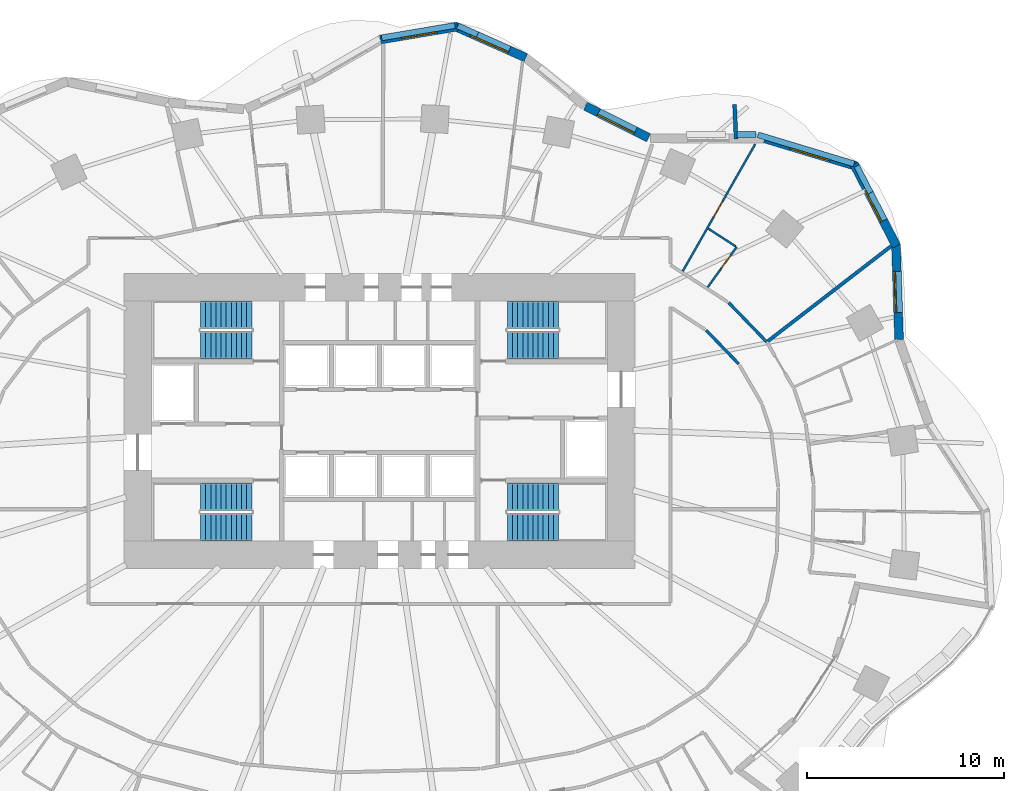
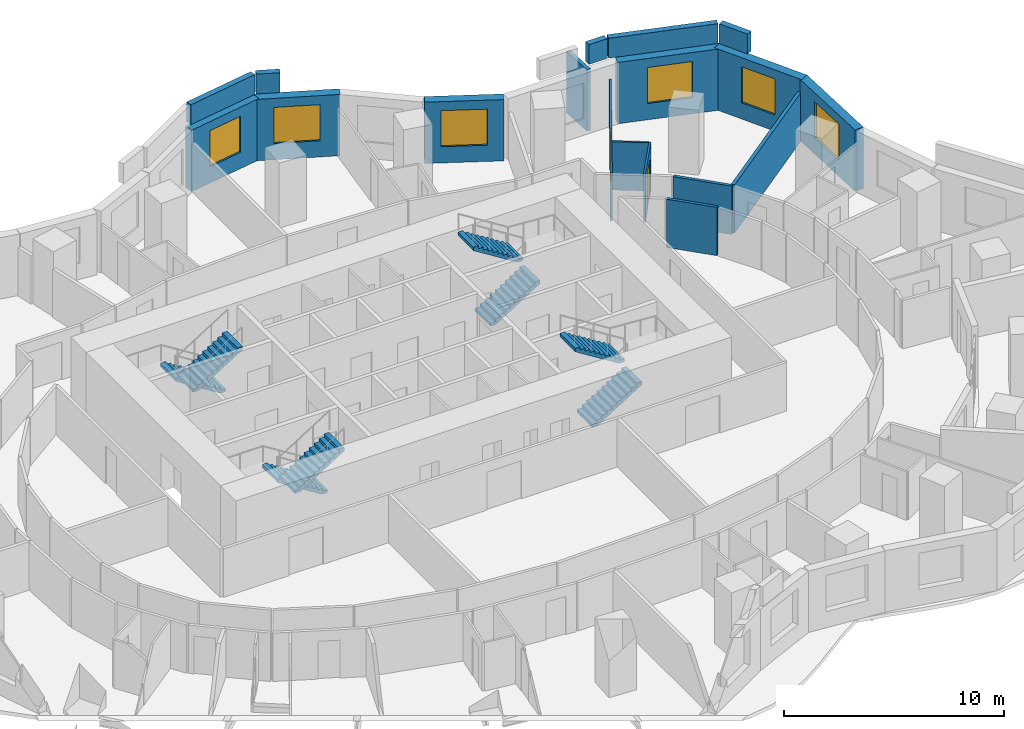
# One storey, part 11 of 14: 18 walls, 8 stair flights, 6 windows, 2 doors, 8 openings, 4 elements without a shape of their own.
"""IFC4 building model written with IfcOpenShell, lengths in metres."""

from ifc_helpers import new_model, si_unit, direction, frame, frame_2d, origin, place, context, subcontext, project, spatial, polyline, rectangle, outline, extrude, material, layer, layer_set, type_object, element, fill, aggregate, save


model = new_model("IFC4")

# Units and contexts
model_context = context("Model", 3, precision=1e-05, world=origin(), true_north=direction((0.0, 1.0)))
body_context = subcontext(model_context, "Body", "Model", "MODEL_VIEW")
ifc_project = project(units=[si_unit("LENGTHUNIT", "METRE"), si_unit("AREAUNIT", "SQUARE_METRE"), si_unit("VOLUMEUNIT", "CUBIC_METRE"), si_unit("PLANEANGLEUNIT", "RADIAN"), si_unit("MASSUNIT", "GRAM", prefix="KILO")], contexts=[model_context])

# Site, building, storey
site_placement = place(None, origin())
site = spatial("IfcSite", under=ifc_project, at=site_placement, CompositionType="ELEMENT")
building_placement = place(site_placement, origin())
building = spatial("IfcBuilding", under=site, at=building_placement, Name="Rubra Terraces Tower", CompositionType="ELEMENT")
storey_placement = place(building_placement, frame((0.0, 0.0, 62.699951171875)))
storey = spatial("IfcBuildingStorey", under=building, at=storey_placement, Name="L13", CompositionType="ELEMENT", Elevation=62.699951171875)

# Wall
ifc_material_1 = material(Name="Twin plasterboard on staggered steel stud, acoustic mineral wool", Category="steel")
ifc_layer_1 = layer(ifc_material_1, 0.175048828125)
ifc_layer_set_1 = layer_set([ifc_layer_1], Name="Twin plasterboard on staggered steel stud, acoustic mineral wool")
wall_type_1 = type_object("IfcWallType", Name="ACOUSTIC PARTY WALL 175", PredefinedType="PARTITIONING", material=ifc_layer_set_1)
wall_1_placement = place(storey_placement, frame((26.021240234375, 13.3984375, 0.0), z_axis=(0.0, 0.0, 1.0), x_axis=(-0.791914254245, -0.610632306649, 0.0)))
element("IfcWall", 1, at=wall_1_placement, inside=storey, type_object=wall_type_1, Name="PARTITION", PredefinedType="PARTITIONING", context=body_context, shape_type="SweptSolid", body=[
    extrude(rectangle(XDim=7.921630859375, YDim=0.175048828125, at=frame_2d((3.9609375, 0.0))), origin(), (0.0, 0.0, 1.0), 2.679931640625),
])

# Wall, opening, window
ifc_material_2 = material(Name="Brick masonry red-brown", Category="masonry")
ifc_layer_2 = layer(ifc_material_2, 0.449951171875)
ifc_layer_set_2 = layer_set([ifc_layer_2], Name="Brick masonry red-brown")
wall_type_2 = type_object("IfcWallType", Name="Brick facade wall 450", PredefinedType="SOLIDWALL", material=ifc_layer_set_2)
wall_2_placement = place(storey_placement, frame((26.416015625, 8.6376953125, 0.0), z_axis=(0.0, 0.0, 1.0), x_axis=(-0.03254979302, 0.999470115098, 0.0)))
wall_2 = element("IfcWall", 2, at=wall_2_placement, inside=storey, type_object=wall_type_2, Name="Facade wall L13 bay 3", PredefinedType="SOLIDWALL", context=body_context, shape_type="SweptSolid", body=[
    extrude(rectangle(XDim=4.845458984375, YDim=0.449951171875, at=frame_2d((2.4228515625, 0.0))), origin(), (0.0, 0.0, 1.0), 3.400146484375),
])
opening_1_placement = place(wall_2_placement, frame((1.37255859375, 0.0, 0.89990234375)))
opening_1 = element("IfcOpeningElement", 3, at=opening_1_placement, cuts=wall_2, Name="Opening W1", PredefinedType="OPENING", context=body_context, shape_type="SweptSolid", body=[
    extrude(rectangle(XDim=2.10009765625, YDim=2.0, at=frame_2d((1.050048828125, 1.0))), frame((0.0, 0.23486328125, 0.0), z_axis=(0.0, -1.0, 0.0), x_axis=(1.0, 0.0, 0.0)), (0.0, 0.0, 1.0), 0.469970703125),
])
ifc_material_3 = material(Name="Clear glass in aluminium frame", Category="aluminium")
window_type_1 = type_object("IfcWindowType", Name="Fixed deep-set window 2100 x 2000", PartitioningType="SINGLE_PANEL", PredefinedType="WINDOW", material=ifc_material_3)
window_1_placement = place(opening_1_placement, origin())
window_1 = element("IfcWindow", 4, at=window_1_placement, inside=storey, type_object=window_type_1, Name="Window L13 bay 3", OverallHeight=2.0, OverallWidth=2.10009765625, PartitioningType="SINGLE_PANEL", PredefinedType="WINDOW", context=body_context, shape_type="SweptSolid", body=[
    extrude(rectangle(XDim=2.10009765625, YDim=2.0, at=frame_2d((1.050048828125, 1.0))), frame((0.0, 0.135009765625, 0.0), z_axis=(0.0, -1.0, 0.0), x_axis=(1.0, 0.0, 0.0)), (0.0, 0.0, 1.0), 0.06005859375),
])
fill(opening_1, window_1)

wall_3_placement = place(storey_placement, frame((26.283203125, 13.390625, 0.0), z_axis=(0.0, 0.0, 1.0), x_axis=(-0.459485057932, 0.888185499509, 0.0)))
wall_3 = element("IfcWall", 5, at=wall_3_placement, inside=storey, type_object=wall_type_2, Name="Facade wall L13 bay 4", PredefinedType="SOLIDWALL", context=body_context, shape_type="SweptSolid", body=[
    extrude(rectangle(XDim=4.702880859375, YDim=0.449951171875, at=frame_2d((2.3515625, 0.0))), origin(), (0.0, 0.0, 1.0), 3.400146484375),
])
opening_2_placement = place(wall_3_placement, frame((1.451416015625, 0.0, 0.89990234375)))
opening_2 = element("IfcOpeningElement", 6, at=opening_2_placement, cuts=wall_3, Name="Opening W6", PredefinedType="OPENING", context=body_context, shape_type="SweptSolid", body=[
    extrude(rectangle(XDim=1.800048828125, YDim=2.0, at=frame_2d((0.89990234375, 1.0))), frame((0.0, 0.23486328125, 0.0), z_axis=(0.0, -1.0, 0.0), x_axis=(1.0, 0.0, 0.0)), (0.0, 0.0, 1.0), 0.469970703125),
])
window_type_2 = type_object("IfcWindowType", Name="Fixed deep-set window at wind fin 1800 x 2000", PartitioningType="SINGLE_PANEL", PredefinedType="WINDOW", material=ifc_material_3)
window_2_placement = place(opening_2_placement, origin())
window_2 = element("IfcWindow", 7, at=window_2_placement, inside=storey, type_object=window_type_2, Name="Window L13 bay 4", OverallHeight=2.0, OverallWidth=1.800048828125, PartitioningType="SINGLE_PANEL", PredefinedType="WINDOW", context=body_context, shape_type="SweptSolid", body=[
    extrude(rectangle(XDim=1.800048828125, YDim=2.0, at=frame_2d((0.89990234375, 1.0))), frame((0.0, 0.135009765625, 0.0), z_axis=(0.0, -1.0, 0.0), x_axis=(1.0, 0.0, 0.0)), (0.0, 0.0, 1.0), 0.06005859375),
])
fill(opening_2, window_2)

wall_4_placement = place(storey_placement, frame((24.2568359375, 17.45556640625, 0.0), z_axis=(0.0, 0.0, 1.0), x_axis=(-0.957268138294, 0.289201852359, 0.0)))
wall_4 = element("IfcWall", 8, at=wall_4_placement, inside=storey, type_object=wall_type_2, Name="Facade wall L13 bay 5", PredefinedType="SOLIDWALL", context=body_context, shape_type="SweptSolid", body=[
    extrude(rectangle(XDim=4.87939453125, YDim=0.449951171875, at=frame_2d((2.439697265625, 0.0))), origin(), (0.0, 0.0, 1.0), 3.400146484375),
])
opening_3_placement = place(wall_4_placement, frame((1.3896484375, 0.0, 0.89990234375)))
opening_3 = element("IfcOpeningElement", 9, at=opening_3_placement, cuts=wall_4, Name="Opening W1", PredefinedType="OPENING", context=body_context, shape_type="SweptSolid", body=[
    extrude(rectangle(XDim=2.10009765625, YDim=2.0, at=frame_2d((1.050048828125, 1.0))), frame((0.0, 0.23486328125, 0.0), z_axis=(0.0, -1.0, 0.0), x_axis=(1.0, 0.0, 0.0)), (0.0, 0.0, 1.0), 0.469970703125),
])
window_3_placement = place(opening_3_placement, origin())
window_3 = element("IfcWindow", 10, at=window_3_placement, inside=storey, type_object=window_type_1, Name="Window L13 bay 5", OverallHeight=2.0, OverallWidth=2.10009765625, PartitioningType="SINGLE_PANEL", PredefinedType="WINDOW", context=body_context, shape_type="SweptSolid", body=[
    extrude(rectangle(XDim=2.10009765625, YDim=2.0, at=frame_2d((1.050048828125, 1.0))), frame((0.0, 0.135009765625, 0.0), z_axis=(0.0, -1.0, 0.0), x_axis=(1.0, 0.0, 0.0)), (0.0, 0.0, 1.0), 0.06005859375),
])
fill(opening_3, window_3)

wall_5_placement = place(storey_placement, frame((13.6787109375, 18.897216796875, 0.0), z_axis=(0.0, 0.0, 1.0), x_axis=(-0.893502471356, 0.449058274259, 0.0)))
wall_5 = element("IfcWall", 11, at=wall_5_placement, inside=storey, type_object=wall_type_2, Name="Facade wall L13 bay 7", PredefinedType="SOLIDWALL", context=body_context, shape_type="SweptSolid", body=[
    extrude(rectangle(XDim=3.59814453125, YDim=0.449951171875, at=frame_2d((1.799072265625, 0.0))), origin(), (0.0, 0.0, 1.0), 3.400146484375),
])
opening_4_placement = place(wall_5_placement, frame((0.748779296875, 0.0, 0.89990234375)))
opening_4 = element("IfcOpeningElement", 12, at=opening_4_placement, cuts=wall_5, Name="Opening W1", PredefinedType="OPENING", context=body_context, shape_type="SweptSolid", body=[
    extrude(rectangle(XDim=2.10009765625, YDim=2.0, at=frame_2d((1.050048828125, 1.0))), frame((0.0, 0.23486328125, 0.0), z_axis=(0.0, -1.0, 0.0), x_axis=(1.0, 0.0, 0.0)), (0.0, 0.0, 1.0), 0.469970703125),
])
window_4_placement = place(opening_4_placement, origin())
window_4 = element("IfcWindow", 13, at=window_4_placement, inside=storey, type_object=window_type_1, Name="Window L13 bay 7", OverallHeight=2.0, OverallWidth=2.10009765625, PartitioningType="SINGLE_PANEL", PredefinedType="WINDOW", context=body_context, shape_type="SweptSolid", body=[
    extrude(rectangle(XDim=2.10009765625, YDim=2.0, at=frame_2d((1.050048828125, 1.0))), frame((0.0, 0.135009765625, 0.0), z_axis=(0.0, -1.0, 0.0), x_axis=(1.0, 0.0, 0.0)), (0.0, 0.0, 1.0), 0.06005859375),
])
fill(opening_4, window_4)

wall_6_placement = place(storey_placement, frame((7.439697265625, 22.972412109375, 0.0), z_axis=(0.0, 0.0, 1.0), x_axis=(-0.914114918534, 0.405455195692, 0.0)))
wall_6 = element("IfcWall", 14, at=wall_6_placement, inside=storey, type_object=wall_type_2, Name="Facade wall L13 bay 9", PredefinedType="SOLIDWALL", context=body_context, shape_type="SweptSolid", body=[
    extrude(rectangle(XDim=3.94580078125, YDim=0.449951171875, at=frame_2d((1.972900390625, 0.0))), origin(), (0.0, 0.0, 1.0), 3.400146484375),
])
opening_5_placement = place(wall_6_placement, frame((0.923095703125, 0.0, 0.89990234375)))
opening_5 = element("IfcOpeningElement", 15, at=opening_5_placement, cuts=wall_6, Name="Opening W1", PredefinedType="OPENING", context=body_context, shape_type="SweptSolid", body=[
    extrude(rectangle(XDim=2.10009765625, YDim=2.0, at=frame_2d((1.050048828125, 1.0))), frame((0.0, 0.23486328125, 0.0), z_axis=(0.0, -1.0, 0.0), x_axis=(1.0, 0.0, 0.0)), (0.0, 0.0, 1.0), 0.469970703125),
])
window_5_placement = place(opening_5_placement, origin())
window_5 = element("IfcWindow", 16, at=window_5_placement, inside=storey, type_object=window_type_1, Name="Window L13 bay 9", OverallHeight=2.0, OverallWidth=2.10009765625, PartitioningType="SINGLE_PANEL", PredefinedType="WINDOW", context=body_context, shape_type="SweptSolid", body=[
    extrude(rectangle(XDim=2.10009765625, YDim=2.0, at=frame_2d((1.050048828125, 1.0))), frame((0.0, 0.135009765625, 0.0), z_axis=(0.0, -1.0, 0.0), x_axis=(1.0, 0.0, 0.0)), (0.0, 0.0, 1.0), 0.06005859375),
])
fill(opening_5, window_5)

wall_7_placement = place(storey_placement, frame((3.96142578125, 24.55615234375, 0.0), z_axis=(0.0, 0.0, 1.0), x_axis=(-0.986102211406, -0.166139786505, 0.0)))
wall_7 = element("IfcWall", 17, at=wall_7_placement, inside=storey, type_object=wall_type_2, Name="Facade wall L13 bay 10", PredefinedType="SOLIDWALL", context=body_context, shape_type="SweptSolid", body=[
    extrude(rectangle(XDim=3.9794921875, YDim=0.449951171875, at=frame_2d((1.98974609375, 0.0))), origin(), (0.0, 0.0, 1.0), 3.400146484375),
])
opening_6_placement = place(wall_7_placement, frame((1.089599609375, 0.0, 0.89990234375)))
opening_6 = element("IfcOpeningElement", 18, at=opening_6_placement, cuts=wall_7, Name="Opening W6", PredefinedType="OPENING", context=body_context, shape_type="SweptSolid", body=[
    extrude(rectangle(XDim=1.800048828125, YDim=2.0, at=frame_2d((0.89990234375, 1.0))), frame((0.0, 0.23486328125, 0.0), z_axis=(0.0, -1.0, 0.0), x_axis=(1.0, 0.0, 0.0)), (0.0, 0.0, 1.0), 0.469970703125),
])
window_6_placement = place(opening_6_placement, origin())
window_6 = element("IfcWindow", 19, at=window_6_placement, inside=storey, type_object=window_type_2, Name="Window L13 bay 10", OverallHeight=2.0, OverallWidth=1.800048828125, PartitioningType="SINGLE_PANEL", PredefinedType="WINDOW", context=body_context, shape_type="SweptSolid", body=[
    extrude(rectangle(XDim=1.800048828125, YDim=2.0, at=frame_2d((0.89990234375, 1.0))), frame((0.0, 0.135009765625, 0.0), z_axis=(0.0, -1.0, 0.0), x_axis=(1.0, 0.0, 0.0)), (0.0, 0.0, 1.0), 0.06005859375),
])
fill(opening_6, window_6)

# Walls
ifc_layer_3 = layer(ifc_material_2, 0.300048828125)
ifc_layer_set_3 = layer_set([ifc_layer_3], Name="Brick masonry red-brown")
wall_type_3 = type_object("IfcWallType", Name="Brick parapet 300", PredefinedType="PARAPET", material=ifc_layer_set_3)
wall_8_placement = place(storey_placement, frame((24.96533203125, 16.100830078125, 3.60009765625), z_axis=(0.0, 0.0, 1.0), x_axis=(-0.459461897951, 0.88819748048, 0.0)))
element("IfcWall", 20, at=wall_8_placement, inside=storey, type_object=wall_type_3, Name="Parapet L13 bay 4", PredefinedType="PARAPET", context=body_context, shape_type="SweptSolid", body=[
    extrude(rectangle(XDim=1.533447265625, YDim=0.300048828125, at=frame_2d((0.7666015625, 0.0))), origin(), (0.0, 0.0, 1.0), 1.099853515625),
])
wall_9_placement = place(storey_placement, frame((24.12841796875, 17.57275390625, 3.60009765625), z_axis=(0.0, 0.0, 1.0), x_axis=(-0.95727702005, 0.289172451806, 0.0)))
element("IfcWall", 21, at=wall_9_placement, inside=storey, type_object=wall_type_3, Name="Parapet L13 bay 5", PredefinedType="PARAPET", context=body_context, shape_type="SweptSolid", body=[
    extrude(rectangle(XDim=5.105224609375, YDim=0.300048828125, at=frame_2d((2.552734375, 0.0))), origin(), (0.0, 0.0, 1.0), 1.099853515625),
])
wall_10_placement = place(storey_placement, frame((19.1396484375, 19.064208984375, 3.60009765625), z_axis=(0.0, 0.0, 1.0), x_axis=(-0.999994556719, 0.003299474426, 0.0)))
element("IfcWall", 22, at=wall_10_placement, inside=storey, type_object=wall_type_3, Name="Parapet L13 bay 6", PredefinedType="PARAPET", context=body_context, shape_type="SweptSolid", body=[
    extrude(rectangle(XDim=0.9619140625, YDim=0.300048828125, at=frame_2d((0.48095703125, 0.0))), origin(), (0.0, 0.0, 1.0), 1.099853515625),
])
wall_11_placement = place(storey_placement, frame((4.9794921875, 24.145751953125, 3.60009765625), z_axis=(0.0, 0.0, 1.0), x_axis=(-0.91414047558, 0.405397571412, 0.0)))
element("IfcWall", 23, at=wall_11_placement, inside=storey, type_object=wall_type_3, Name="Parapet L13 bay 9", PredefinedType="PARAPET", context=body_context, shape_type="SweptSolid", body=[
    extrude(rectangle(XDim=1.100830078125, YDim=0.300048828125, at=frame_2d((0.55029296875, 0.0))), origin(), (0.0, 0.0, 1.0), 1.099853515625),
])
wall_12_placement = place(storey_placement, frame((3.830322265625, 24.610107421875, 3.60009765625), z_axis=(0.0, 0.0, 1.0), x_axis=(-0.986111051666, -0.166087307712, 0.0)))
element("IfcWall", 24, at=wall_12_placement, inside=storey, type_object=wall_type_3, Name="Parapet L13 bay 10", PredefinedType="PARAPET", context=body_context, shape_type="SweptSolid", body=[
    extrude(rectangle(XDim=3.77490234375, YDim=0.300048828125, at=frame_2d((1.887451171875, 0.0))), origin(), (0.0, 0.0, 1.0), 1.099853515625),
])
ifc_layer_4 = layer(ifc_material_2, 0.199951171875)
ifc_layer_set_4 = layer_set([ifc_layer_4], Name="Brick masonry red-brown")
wall_type_4 = type_object("IfcWallType", Name="Brick wind fin 200", PredefinedType="SOLIDWALL", material=ifc_layer_set_4)
wall_13_placement = place(storey_placement, frame((18.125, 18.839111328125, 0.0), z_axis=(0.0, 0.0, 1.0), x_axis=(-0.042274699855, 0.999106025281, 0.0)))
element("IfcWall", 25, at=wall_13_placement, inside=storey, type_object=wall_type_4, Name="Wind fin L13 4", PredefinedType="SOLIDWALL", context=body_context, shape_type="SweptSolid", body=[
    extrude(rectangle(XDim=1.749755859375, YDim=0.199951171875, at=frame_2d((0.875, 0.0))), origin(), (0.0, 0.0, 1.0), 3.400146484375),
])
ifc_material_4 = material(Name="Plasterboard on steel stud, mineral wool infill", Category="steel")
ifc_layer_5 = layer(ifc_material_4, 0.14990234375)
ifc_layer_set_5 = layer_set([ifc_layer_5], Name="Plasterboard on steel stud, mineral wool infill")
wall_type_5 = type_object("IfcWallType", Name="CORRIDOR PARTITION 150", PredefinedType="PARTITIONING", material=ifc_layer_set_5)
wall_14_placement = place(storey_placement, frame((19.688720703125, 8.515380859375, 0.0), z_axis=(0.0, 0.0, 1.0), x_axis=(-0.695251868619, 0.718766192292, 0.0)))
element("IfcWall", 26, at=wall_14_placement, inside=storey, type_object=wall_type_5, Name="PARTITION", PredefinedType="PARTITIONING", context=body_context, shape_type="SweptSolid", body=[
    extrude(rectangle(XDim=2.782470703125, YDim=0.14990234375, at=frame_2d((1.39111328125, 0.0))), origin(), (0.0, 0.0, 1.0), 2.679931640625),
])
wall_15_placement = place(storey_placement, frame((16.603515625, 9.1162109375, 0.0), z_axis=(0.0, 0.0, 1.0), x_axis=(0.695185405932, -0.718830474716, 0.0)))
element("IfcWall", 27, at=wall_15_placement, inside=storey, type_object=wall_type_5, Name="PARTITION", PredefinedType="PARTITIONING", context=body_context, shape_type="SweptSolid", body=[
    extrude(rectangle(XDim=2.3955078125, YDim=0.14990234375, at=frame_2d((1.19775390625, 0.0))), origin(), (0.0, 0.0, 1.0), 2.679931640625),
])

# Wall, opening, door
ifc_material_5 = material(Name="Plasterboard on steel stud", Category="steel")
ifc_layer_6 = layer(ifc_material_5, 0.10009765625)
ifc_layer_set_6 = layer_set([ifc_layer_6], Name="Plasterboard on steel stud")
wall_type_6 = type_object("IfcWallType", Name="ROOM PARTITION 100", PredefinedType="PARTITIONING", material=ifc_layer_set_6)
wall_16_placement = place(storey_placement, frame((19.1005859375, 18.579833984375, 0.0), z_axis=(0.0, 0.0, 1.0), x_axis=(-0.49517728181, -0.868791954141, 0.0)))
wall_16 = element("IfcWall", 28, at=wall_16_placement, inside=storey, type_object=wall_type_6, Name="PARTITION", PredefinedType="PARTITIONING", context=body_context, shape_type="SweptSolid", body=[
    extrude(rectangle(XDim=7.43896484375, YDim=0.10009765625, at=frame_2d((3.719482421875, 0.0))), origin(), (0.0, 0.0, 1.0), 2.679931640625),
])
opening_7_placement = place(wall_16_placement, frame((3.364013671875, 0.0, 0.0)))
opening_7 = element("IfcOpeningElement", 29, at=opening_7_placement, cuts=wall_16, Name="Opening 13-102", PredefinedType="OPENING", context=body_context, shape_type="SweptSolid", body=[
    extrude(rectangle(XDim=0.89990234375, YDim=2.39990234375, at=frame_2d((0.449951171875, 1.199951171875))), frame((0.0, 0.06005859375, 0.0), z_axis=(0.0, -1.0, 0.0), x_axis=(1.0, 0.0, 0.0)), (0.0, 0.0, 1.0), 0.1201171875),
])
ifc_material_6 = material(Name="Veneered timber door leaf, fire-rated", Category="wood")
door_type_1 = type_object("IfcDoorType", Name="SUITE ENTRANCE DOOR 900 X 2400", OperationType="SINGLE_SWING_LEFT", PredefinedType="DOOR", material=ifc_material_6)
door_1_placement = place(opening_7_placement, origin())
door_1 = element("IfcDoor", 30, at=door_1_placement, inside=storey, type_object=door_type_1, Name="DOOR 13-102", OperationType="SINGLE_SWING_LEFT", OverallHeight=2.39990234375, OverallWidth=0.89990234375, PredefinedType="DOOR", context=body_context, shape_type="SweptSolid", body=[
    extrude(rectangle(XDim=0.89990234375, YDim=2.39990234375, at=frame_2d((0.449951171875, 1.199951171875))), frame((0.0, 0.02490234375, 0.0), z_axis=(0.0, -1.0, 0.0), x_axis=(1.0, 0.0, 0.0)), (0.0, 0.0, 1.0), 0.050048828125),
])
fill(opening_7, door_1)

wall_17_placement = place(storey_placement, frame((16.68310546875, 11.297607421875, 0.0), z_axis=(0.0, 0.0, 1.0), x_axis=(0.583412891342, 0.812175718805, 0.0)))
wall_17 = element("IfcWall", 31, at=wall_17_placement, inside=storey, type_object=wall_type_6, Name="PARTITION", PredefinedType="PARTITIONING", context=body_context, shape_type="SweptSolid", body=[
    extrude(rectangle(XDim=2.525146484375, YDim=0.10009765625, at=frame_2d((1.2626953125, 0.0))), origin(), (0.0, 0.0, 1.0), 2.679931640625),
])
opening_8_placement = place(wall_17_placement, frame((1.199951171875, 0.0, 0.0)))
opening_8 = element("IfcOpeningElement", 32, at=opening_8_placement, cuts=wall_17, Name="Opening 13-101", PredefinedType="OPENING", context=body_context, shape_type="SweptSolid", body=[
    extrude(rectangle(XDim=0.800048828125, YDim=2.10009765625, at=frame_2d((0.39990234375, 1.050048828125))), frame((0.0, 0.06005859375, 0.0), z_axis=(0.0, -1.0, 0.0), x_axis=(1.0, 0.0, 0.0)), (0.0, 0.0, 1.0), 0.1201171875),
])
ifc_material_7 = material(Name="Painted timber door leaf", Category="wood")
door_type_2 = type_object("IfcDoorType", Name="BATHROOM DOOR 800 X 2100", OperationType="SINGLE_SWING_LEFT", PredefinedType="DOOR", material=ifc_material_7)
door_2_placement = place(opening_8_placement, origin())
door_2 = element("IfcDoor", 33, at=door_2_placement, inside=storey, type_object=door_type_2, Name="DOOR 13-101", OperationType="SINGLE_SWING_LEFT", OverallHeight=2.10009765625, OverallWidth=0.800048828125, PredefinedType="DOOR", context=body_context, shape_type="SweptSolid", body=[
    extrude(rectangle(XDim=0.800048828125, YDim=2.10009765625, at=frame_2d((0.39990234375, 1.050048828125))), frame((0.0, 0.02490234375, 0.0), z_axis=(0.0, -1.0, 0.0), x_axis=(1.0, 0.0, 0.0)), (0.0, 0.0, 1.0), 0.050048828125),
])
fill(opening_8, door_2)

# Wall
wall_18_placement = place(storey_placement, frame((18.1142578125, 13.37548828125, 0.0), z_axis=(0.0, 0.0, 1.0), x_axis=(-0.839848081289, 0.542821517955, 0.0)))
element("IfcWall", 34, at=wall_18_placement, inside=storey, type_object=wall_type_6, Name="PARTITION", PredefinedType="PARTITIONING", context=body_context, shape_type="SweptSolid", body=[
    extrude(rectangle(XDim=1.672607421875, YDim=0.10009765625, at=frame_2d((0.83642578125, 0.0))), origin(), (0.0, 0.0, 1.0), 2.679931640625),
])

# Stair, stair flights
ifc_material_8 = material(Name="Concrete C40", Category="concrete")
stair_type = type_object("IfcStairType", Name="Core stair 1400", PredefinedType="HALF_TURN_STAIR", material=ifc_material_8)
stair_1_placement = place(storey_placement, origin())
stair_1 = element("IfcStair", 35, at=stair_1_placement, inside=storey, type_object=stair_type, Name="L13 Exit stair S1", PredefinedType="HALF_TURN_STAIR")
stair_flight_type = type_object("IfcStairFlightType", Name="Core stair flight 1400", PredefinedType="STRAIGHT", material=ifc_material_8)
stair_flight_1_placement = place(storey_placement, frame((-6.5, 0.64990234375, 0.0), z_axis=(0.0, 0.0, 1.0), x_axis=(-1.0, 0.0, 0.0)))
stair_flight_1 = element("IfcStairFlight", 36, at=stair_flight_1_placement, type_object=stair_flight_type, Name="S1 flight 1", NumberOfRisers=11, NumberOfTreads=10, PredefinedType="STRAIGHT", RiserHeight=0.163636364, TreadLength=0.26, context=body_context, shape_type="SweptSolid", body=[
    extrude(outline(polyline([(0.0, 0.0), (0.0, 0.16357421875), (0.260009765625, 0.16357421875), (0.260009765625, 0.327392578125), (0.52001953125, 0.327392578125), (0.52001953125, 0.490966796875), (0.780029296875, 0.490966796875), (0.780029296875, 0.654541015625), (1.0400390625, 0.654541015625), (1.0400390625, 0.818115234375), (1.300048828125, 0.818115234375), (1.300048828125, 0.98193359375), (1.56005859375, 0.98193359375), (1.56005859375, 1.1455078125), (1.820068359375, 1.1455078125), (1.820068359375, 1.30908203125), (2.080078125, 1.30908203125), (2.080078125, 1.47265625), (2.340087890625, 1.47265625), (2.340087890625, 1.636474609375), (2.60009765625, 1.636474609375), (2.60009765625, 1.800048828125), (2.60009765625, 1.459228515625), (0.281494140625, 0.0), (0.0, 0.0)])), frame((0.0, 0.699951171875, 0.0), z_axis=(0.0, -1.0, 0.0), x_axis=(1.0, 0.0, 0.0)), (0.0, 0.0, 1.0), 1.39990234375),
])
stair_flight_2_placement = place(storey_placement, frame((-9.10009765625, -0.89990234375, 1.800048828125), z_axis=(0.0, 0.0, 1.0), x_axis=(1.0, 0.0, 0.0)))
stair_flight_2 = element("IfcStairFlight", 37, at=stair_flight_2_placement, type_object=stair_flight_type, Name="S1 flight 2", NumberOfRisers=11, NumberOfTreads=10, PredefinedType="STRAIGHT", RiserHeight=0.163636364, TreadLength=0.26, context=body_context, shape_type="SweptSolid", body=[
    extrude(outline(polyline([(0.0, 0.0), (0.0, 0.16357421875), (0.260009765625, 0.16357421875), (0.260009765625, 0.327392578125), (0.52001953125, 0.327392578125), (0.52001953125, 0.490966796875), (0.780029296875, 0.490966796875), (0.780029296875, 0.654541015625), (1.0400390625, 0.654541015625), (1.0400390625, 0.818115234375), (1.300048828125, 0.818115234375), (1.300048828125, 0.98193359375), (1.56005859375, 0.98193359375), (1.56005859375, 1.1455078125), (1.820068359375, 1.1455078125), (1.820068359375, 1.30908203125), (2.080078125, 1.30908203125), (2.080078125, 1.47265625), (2.340087890625, 1.47265625), (2.340087890625, 1.636474609375), (2.60009765625, 1.636474609375), (2.60009765625, 1.800048828125), (2.60009765625, 1.459228515625), (0.281494140625, 0.0), (0.0, 0.0)])), frame((0.0, 0.699951171875, 0.0), z_axis=(0.0, -1.0, 0.0), x_axis=(1.0, 0.0, 0.0)), (0.0, 0.0, 1.0), 1.39990234375),
])
aggregate(stair_1, [stair_flight_1, stair_flight_2])

stair_2_placement = place(storey_placement, origin())
stair_2 = element("IfcStair", 38, at=stair_2_placement, inside=storey, type_object=stair_type, Name="L13 Exit stair S2", PredefinedType="HALF_TURN_STAIR")
stair_flight_3_placement = place(storey_placement, frame((-6.5, 9.89990234375, 0.0), z_axis=(0.0, 0.0, 1.0), x_axis=(-1.0, 0.0, 0.0)))
stair_flight_3 = element("IfcStairFlight", 39, at=stair_flight_3_placement, type_object=stair_flight_type, Name="S2 flight 1", NumberOfRisers=11, NumberOfTreads=10, PredefinedType="STRAIGHT", RiserHeight=0.163636364, TreadLength=0.26, context=body_context, shape_type="SweptSolid", body=[
    extrude(outline(polyline([(0.0, 0.0), (0.0, 0.16357421875), (0.260009765625, 0.16357421875), (0.260009765625, 0.327392578125), (0.52001953125, 0.327392578125), (0.52001953125, 0.490966796875), (0.780029296875, 0.490966796875), (0.780029296875, 0.654541015625), (1.0400390625, 0.654541015625), (1.0400390625, 0.818115234375), (1.300048828125, 0.818115234375), (1.300048828125, 0.98193359375), (1.56005859375, 0.98193359375), (1.56005859375, 1.1455078125), (1.820068359375, 1.1455078125), (1.820068359375, 1.30908203125), (2.080078125, 1.30908203125), (2.080078125, 1.47265625), (2.340087890625, 1.47265625), (2.340087890625, 1.636474609375), (2.60009765625, 1.636474609375), (2.60009765625, 1.800048828125), (2.60009765625, 1.459228515625), (0.281494140625, 0.0), (0.0, 0.0)])), frame((0.0, 0.699951171875, 0.0), z_axis=(0.0, -1.0, 0.0), x_axis=(1.0, 0.0, 0.0)), (0.0, 0.0, 1.0), 1.39990234375),
])
stair_flight_4_placement = place(storey_placement, frame((-9.10009765625, 8.35009765625, 1.800048828125), z_axis=(0.0, 0.0, 1.0), x_axis=(1.0, 0.0, 0.0)))
stair_flight_4 = element("IfcStairFlight", 40, at=stair_flight_4_placement, type_object=stair_flight_type, Name="S2 flight 2", NumberOfRisers=11, NumberOfTreads=10, PredefinedType="STRAIGHT", RiserHeight=0.163636364, TreadLength=0.26, context=body_context, shape_type="SweptSolid", body=[
    extrude(outline(polyline([(0.0, 0.0), (0.0, 0.16357421875), (0.260009765625, 0.16357421875), (0.260009765625, 0.327392578125), (0.52001953125, 0.327392578125), (0.52001953125, 0.490966796875), (0.780029296875, 0.490966796875), (0.780029296875, 0.654541015625), (1.0400390625, 0.654541015625), (1.0400390625, 0.818115234375), (1.300048828125, 0.818115234375), (1.300048828125, 0.98193359375), (1.56005859375, 0.98193359375), (1.56005859375, 1.1455078125), (1.820068359375, 1.1455078125), (1.820068359375, 1.30908203125), (2.080078125, 1.30908203125), (2.080078125, 1.47265625), (2.340087890625, 1.47265625), (2.340087890625, 1.636474609375), (2.60009765625, 1.636474609375), (2.60009765625, 1.800048828125), (2.60009765625, 1.459228515625), (0.281494140625, 0.0), (0.0, 0.0)])), frame((0.0, 0.699951171875, 0.0), z_axis=(0.0, -1.0, 0.0), x_axis=(1.0, 0.0, 0.0)), (0.0, 0.0, 1.0), 1.39990234375),
])
aggregate(stair_2, [stair_flight_3, stair_flight_4])

stair_3_placement = place(storey_placement, origin())
stair_3 = element("IfcStair", 41, at=stair_3_placement, inside=storey, type_object=stair_type, Name="L13 Exit stair S3", PredefinedType="HALF_TURN_STAIR")
stair_flight_5_placement = place(storey_placement, frame((6.5, 8.35009765625, 0.0), z_axis=(0.0, 0.0, 1.0), x_axis=(1.0, 0.0, 0.0)))
stair_flight_5 = element("IfcStairFlight", 42, at=stair_flight_5_placement, type_object=stair_flight_type, Name="S3 flight 1", NumberOfRisers=11, NumberOfTreads=10, PredefinedType="STRAIGHT", RiserHeight=0.163636364, TreadLength=0.26, context=body_context, shape_type="SweptSolid", body=[
    extrude(outline(polyline([(0.0, 0.0), (0.0, 0.16357421875), (0.260009765625, 0.16357421875), (0.260009765625, 0.327392578125), (0.52001953125, 0.327392578125), (0.52001953125, 0.490966796875), (0.780029296875, 0.490966796875), (0.780029296875, 0.654541015625), (1.0400390625, 0.654541015625), (1.0400390625, 0.818115234375), (1.300048828125, 0.818115234375), (1.300048828125, 0.98193359375), (1.56005859375, 0.98193359375), (1.56005859375, 1.1455078125), (1.820068359375, 1.1455078125), (1.820068359375, 1.30908203125), (2.080078125, 1.30908203125), (2.080078125, 1.47265625), (2.340087890625, 1.47265625), (2.340087890625, 1.636474609375), (2.60009765625, 1.636474609375), (2.60009765625, 1.800048828125), (2.60009765625, 1.459228515625), (0.281494140625, 0.0), (0.0, 0.0)])), frame((0.0, 0.699951171875, 0.0), z_axis=(0.0, -1.0, 0.0), x_axis=(1.0, 0.0, 0.0)), (0.0, 0.0, 1.0), 1.39990234375),
])
stair_flight_6_placement = place(storey_placement, frame((9.10009765625, 9.89990234375, 1.800048828125), z_axis=(0.0, 0.0, 1.0), x_axis=(-1.0, 0.0, 0.0)))
stair_flight_6 = element("IfcStairFlight", 43, at=stair_flight_6_placement, type_object=stair_flight_type, Name="S3 flight 2", NumberOfRisers=11, NumberOfTreads=10, PredefinedType="STRAIGHT", RiserHeight=0.163636364, TreadLength=0.26, context=body_context, shape_type="SweptSolid", body=[
    extrude(outline(polyline([(0.0, 0.0), (0.0, 0.16357421875), (0.260009765625, 0.16357421875), (0.260009765625, 0.327392578125), (0.52001953125, 0.327392578125), (0.52001953125, 0.490966796875), (0.780029296875, 0.490966796875), (0.780029296875, 0.654541015625), (1.0400390625, 0.654541015625), (1.0400390625, 0.818115234375), (1.300048828125, 0.818115234375), (1.300048828125, 0.98193359375), (1.56005859375, 0.98193359375), (1.56005859375, 1.1455078125), (1.820068359375, 1.1455078125), (1.820068359375, 1.30908203125), (2.080078125, 1.30908203125), (2.080078125, 1.47265625), (2.340087890625, 1.47265625), (2.340087890625, 1.636474609375), (2.60009765625, 1.636474609375), (2.60009765625, 1.800048828125), (2.60009765625, 1.459228515625), (0.281494140625, 0.0), (0.0, 0.0)])), frame((0.0, 0.699951171875, 0.0), z_axis=(0.0, -1.0, 0.0), x_axis=(1.0, 0.0, 0.0)), (0.0, 0.0, 1.0), 1.39990234375),
])
aggregate(stair_3, [stair_flight_5, stair_flight_6])

stair_4_placement = place(storey_placement, origin())
stair_4 = element("IfcStair", 44, at=stair_4_placement, inside=storey, type_object=stair_type, Name="L13 Exit stair S4", PredefinedType="HALF_TURN_STAIR")
stair_flight_7_placement = place(storey_placement, frame((6.5, -0.89990234375, 0.0), z_axis=(0.0, 0.0, 1.0), x_axis=(1.0, 0.0, 0.0)))
stair_flight_7 = element("IfcStairFlight", 45, at=stair_flight_7_placement, type_object=stair_flight_type, Name="S4 flight 1", NumberOfRisers=11, NumberOfTreads=10, PredefinedType="STRAIGHT", RiserHeight=0.163636364, TreadLength=0.26, context=body_context, shape_type="SweptSolid", body=[
    extrude(outline(polyline([(0.0, 0.0), (0.0, 0.16357421875), (0.260009765625, 0.16357421875), (0.260009765625, 0.327392578125), (0.52001953125, 0.327392578125), (0.52001953125, 0.490966796875), (0.780029296875, 0.490966796875), (0.780029296875, 0.654541015625), (1.0400390625, 0.654541015625), (1.0400390625, 0.818115234375), (1.300048828125, 0.818115234375), (1.300048828125, 0.98193359375), (1.56005859375, 0.98193359375), (1.56005859375, 1.1455078125), (1.820068359375, 1.1455078125), (1.820068359375, 1.30908203125), (2.080078125, 1.30908203125), (2.080078125, 1.47265625), (2.340087890625, 1.47265625), (2.340087890625, 1.636474609375), (2.60009765625, 1.636474609375), (2.60009765625, 1.800048828125), (2.60009765625, 1.459228515625), (0.281494140625, 0.0), (0.0, 0.0)])), frame((0.0, 0.699951171875, 0.0), z_axis=(0.0, -1.0, 0.0), x_axis=(1.0, 0.0, 0.0)), (0.0, 0.0, 1.0), 1.39990234375),
])
stair_flight_8_placement = place(storey_placement, frame((9.10009765625, 0.64990234375, 1.800048828125), z_axis=(0.0, 0.0, 1.0), x_axis=(-1.0, 0.0, 0.0)))
stair_flight_8 = element("IfcStairFlight", 46, at=stair_flight_8_placement, type_object=stair_flight_type, Name="S4 flight 2", NumberOfRisers=11, NumberOfTreads=10, PredefinedType="STRAIGHT", RiserHeight=0.163636364, TreadLength=0.26, context=body_context, shape_type="SweptSolid", body=[
    extrude(outline(polyline([(0.0, 0.0), (0.0, 0.16357421875), (0.260009765625, 0.16357421875), (0.260009765625, 0.327392578125), (0.52001953125, 0.327392578125), (0.52001953125, 0.490966796875), (0.780029296875, 0.490966796875), (0.780029296875, 0.654541015625), (1.0400390625, 0.654541015625), (1.0400390625, 0.818115234375), (1.300048828125, 0.818115234375), (1.300048828125, 0.98193359375), (1.56005859375, 0.98193359375), (1.56005859375, 1.1455078125), (1.820068359375, 1.1455078125), (1.820068359375, 1.30908203125), (2.080078125, 1.30908203125), (2.080078125, 1.47265625), (2.340087890625, 1.47265625), (2.340087890625, 1.636474609375), (2.60009765625, 1.636474609375), (2.60009765625, 1.800048828125), (2.60009765625, 1.459228515625), (0.281494140625, 0.0), (0.0, 0.0)])), frame((0.0, 0.699951171875, 0.0), z_axis=(0.0, -1.0, 0.0), x_axis=(1.0, 0.0, 0.0)), (0.0, 0.0, 1.0), 1.39990234375),
])
aggregate(stair_4, [stair_flight_7, stair_flight_8])

save(model, "model.ifc")
